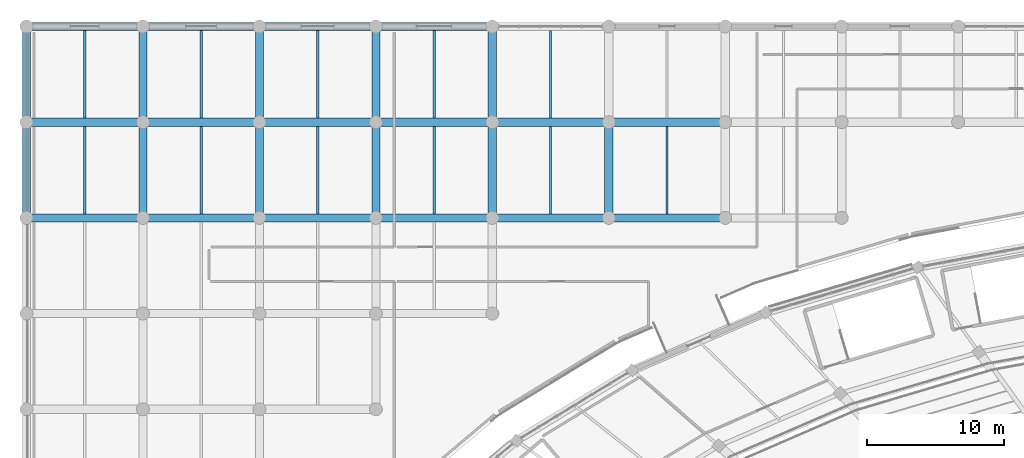
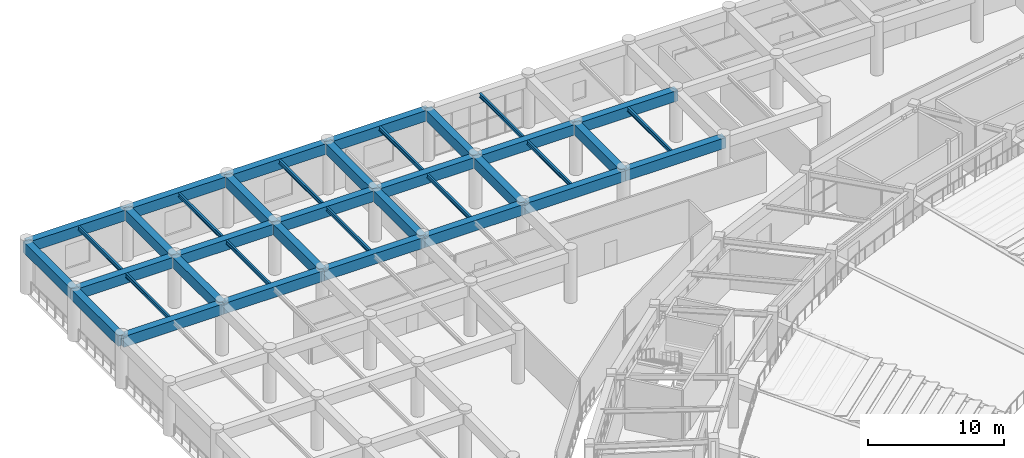
# One storey, part 56 of 137: 38 beams.
"""IFC4 building model written with IfcOpenShell, lengths in metres."""

from ifc_helpers import new_model, si_unit, direction, frame, origin, origin_2d, place, context, subcontext, project, spatial, rectangle, i_section, extrude, material, material_profile, profile_set, type_object, element, save


model = new_model("IFC4")

# Units and contexts
model_context = context("Model", 3, precision=1e-05, world=origin(), true_north=direction((0.0, 1.0)))
body_context = subcontext(model_context, "Body", "Model", "MODEL_VIEW")
ifc_project = project(units=[si_unit("LENGTHUNIT", "METRE"), si_unit("AREAUNIT", "SQUARE_METRE"), si_unit("VOLUMEUNIT", "CUBIC_METRE"), si_unit("PLANEANGLEUNIT", "RADIAN"), si_unit("MASSUNIT", "GRAM", prefix="KILO")], contexts=[model_context])

# Site, building, storey
site_placement = place(None, origin())
site = spatial("IfcSite", under=ifc_project, at=site_placement, CompositionType="ELEMENT")
building_placement = place(site_placement, origin())
building = spatial("IfcBuilding", under=site, at=building_placement, Name="Mphavela Belvedere Stadium", CompositionType="ELEMENT")
storey_placement = place(building_placement, frame((0.0, 0.0, 19.199951171875)))
storey = spatial("IfcBuildingStorey", under=building, at=storey_placement, Name="L04", CompositionType="ELEMENT", Elevation=19.199951171875)

# Beams
ifc_material_1 = material(Name="Concrete C40/50", Category="concrete")
ifc_material_profile_1 = material_profile(ifc_material_1, rectangle(XDim=0.60009765625, YDim=0.949951171875, at=origin_2d()), Name="RC 600x950")
ifc_profile_set_1 = profile_set([ifc_material_profile_1], Name="Concrete C40/50")
beam_type_1 = type_object("IfcBeamType", Name="BM-ENTABLATURE-950", PredefinedType="SPANDREL", material=ifc_profile_set_1)
beam_1_placement = place(storey_placement, frame((0.0, 160.0, 4.06494140625), z_axis=(1.0, 0.0, 0.0), x_axis=(0.0, 1.0, 0.0)))
element("IfcBeam", 1, at=beam_1_placement, inside=storey, type_object=beam_type_1, Name="North Mast and Ceremonial End Forecourt entablature beam X L04 1-6", PredefinedType="SPANDREL", context=body_context, shape_type="SweptSolid", body=[
    extrude(rectangle(XDim=0.60009765625, YDim=0.949951171875, at=origin_2d()), origin(), (0.0, 0.0, 1.0), 8.51904296875),
])
beam_2_placement = place(storey_placement, frame((0.0, 160.0, 4.06494140625), z_axis=(0.0, 1.0, 0.0), x_axis=(-1.0, 0.0, 0.0)))
element("IfcBeam", 2, at=beam_2_placement, inside=storey, type_object=beam_type_1, Name="North Mast and Ceremonial End Forecourt entablature beam Y L04 1-6", PredefinedType="SPANDREL", context=body_context, shape_type="SweptSolid", body=[
    extrude(rectangle(XDim=0.60009765625, YDim=0.949951171875, at=origin_2d()), origin(), (0.0, 0.0, 1.0), 7.0),
])
beam_3_placement = place(storey_placement, frame((0.0, 167.0, 4.06494140625), z_axis=(1.0, 0.0, 0.0), x_axis=(0.0, 1.0, 0.0)))
element("IfcBeam", 3, at=beam_3_placement, inside=storey, type_object=beam_type_1, Name="North Mast and Ceremonial End Forecourt entablature beam X L04 1-7", PredefinedType="SPANDREL", context=body_context, shape_type="SweptSolid", body=[
    extrude(rectangle(XDim=0.60009765625, YDim=0.949951171875, at=origin_2d()), origin(), (0.0, 0.0, 1.0), 8.51904296875),
])
beam_4_placement = place(storey_placement, frame((0.0, 167.0, 4.06494140625), z_axis=(0.0, 1.0, 0.0), x_axis=(-1.0, 0.0, 0.0)))
element("IfcBeam", 4, at=beam_4_placement, inside=storey, type_object=beam_type_1, Name="North Mast and Ceremonial End Forecourt entablature beam Y L04 1-7", PredefinedType="SPANDREL", context=body_context, shape_type="SweptSolid", body=[
    extrude(rectangle(XDim=0.60009765625, YDim=0.949951171875, at=origin_2d()), origin(), (0.0, 0.0, 1.0), 7.0),
])
beam_5_placement = place(storey_placement, frame((0.0, 174.0, 4.06494140625), z_axis=(1.0, 0.0, 0.0), x_axis=(0.0, 1.0, 0.0)))
element("IfcBeam", 5, at=beam_5_placement, inside=storey, type_object=beam_type_1, Name="North Mast and Ceremonial End Forecourt entablature beam X L04 1-8", PredefinedType="SPANDREL", context=body_context, shape_type="SweptSolid", body=[
    extrude(rectangle(XDim=0.60009765625, YDim=0.949951171875, at=origin_2d()), origin(), (0.0, 0.0, 1.0), 8.51904296875),
])
beam_6_placement = place(storey_placement, frame((8.51904296875, 160.0, 4.06494140625), z_axis=(1.0, 0.0, 0.0), x_axis=(0.0, 1.0, 0.0)))
element("IfcBeam", 6, at=beam_6_placement, inside=storey, type_object=beam_type_1, Name="North Mast and Ceremonial End Forecourt entablature beam X L04 2-6", PredefinedType="SPANDREL", context=body_context, shape_type="SweptSolid", body=[
    extrude(rectangle(XDim=0.60009765625, YDim=0.949951171875, at=origin_2d()), origin(), (0.0, 0.0, 1.0), 8.51806640625),
])
beam_7_placement = place(storey_placement, frame((8.51904296875, 160.0, 4.06494140625), z_axis=(0.0, 1.0, 0.0), x_axis=(-1.0, 0.0, 0.0)))
element("IfcBeam", 7, at=beam_7_placement, inside=storey, type_object=beam_type_1, Name="North Mast and Ceremonial End Forecourt entablature beam Y L04 2-6", PredefinedType="SPANDREL", context=body_context, shape_type="SweptSolid", body=[
    extrude(rectangle(XDim=0.60009765625, YDim=0.949951171875, at=origin_2d()), origin(), (0.0, 0.0, 1.0), 7.0),
])
beam_8_placement = place(storey_placement, frame((8.51904296875, 167.0, 4.06494140625), z_axis=(1.0, 0.0, 0.0), x_axis=(0.0, 1.0, 0.0)))
element("IfcBeam", 8, at=beam_8_placement, inside=storey, type_object=beam_type_1, Name="North Mast and Ceremonial End Forecourt entablature beam X L04 2-7", PredefinedType="SPANDREL", context=body_context, shape_type="SweptSolid", body=[
    extrude(rectangle(XDim=0.60009765625, YDim=0.949951171875, at=origin_2d()), origin(), (0.0, 0.0, 1.0), 8.51806640625),
])
beam_9_placement = place(storey_placement, frame((8.51904296875, 167.0, 4.06494140625), z_axis=(0.0, 1.0, 0.0), x_axis=(-1.0, 0.0, 0.0)))
element("IfcBeam", 9, at=beam_9_placement, inside=storey, type_object=beam_type_1, Name="North Mast and Ceremonial End Forecourt entablature beam Y L04 2-7", PredefinedType="SPANDREL", context=body_context, shape_type="SweptSolid", body=[
    extrude(rectangle(XDim=0.60009765625, YDim=0.949951171875, at=origin_2d()), origin(), (0.0, 0.0, 1.0), 7.0),
])
beam_10_placement = place(storey_placement, frame((8.51904296875, 174.0, 4.06494140625), z_axis=(1.0, 0.0, 0.0), x_axis=(0.0, 1.0, 0.0)))
element("IfcBeam", 10, at=beam_10_placement, inside=storey, type_object=beam_type_1, Name="North Mast and Ceremonial End Forecourt entablature beam X L04 2-8", PredefinedType="SPANDREL", context=body_context, shape_type="SweptSolid", body=[
    extrude(rectangle(XDim=0.60009765625, YDim=0.949951171875, at=origin_2d()), origin(), (0.0, 0.0, 1.0), 8.51806640625),
])
beam_11_placement = place(storey_placement, frame((17.037109375, 160.0, 4.06494140625), z_axis=(1.0, 0.0, 0.0), x_axis=(0.0, 1.0, 0.0)))
element("IfcBeam", 11, at=beam_11_placement, inside=storey, type_object=beam_type_1, Name="North Mast and Ceremonial End Forecourt entablature beam X L04 3-6", PredefinedType="SPANDREL", context=body_context, shape_type="SweptSolid", body=[
    extrude(rectangle(XDim=0.60009765625, YDim=0.949951171875, at=origin_2d()), origin(), (0.0, 0.0, 1.0), 8.518798828125),
])
beam_12_placement = place(storey_placement, frame((17.037109375, 160.0, 4.06494140625), z_axis=(0.0, 1.0, 0.0), x_axis=(-1.0, 0.0, 0.0)))
element("IfcBeam", 12, at=beam_12_placement, inside=storey, type_object=beam_type_1, Name="North Mast and Ceremonial End Forecourt entablature beam Y L04 3-6", PredefinedType="SPANDREL", context=body_context, shape_type="SweptSolid", body=[
    extrude(rectangle(XDim=0.60009765625, YDim=0.949951171875, at=origin_2d()), origin(), (0.0, 0.0, 1.0), 7.0),
])
beam_13_placement = place(storey_placement, frame((17.037109375, 167.0, 4.06494140625), z_axis=(1.0, 0.0, 0.0), x_axis=(0.0, 1.0, 0.0)))
element("IfcBeam", 13, at=beam_13_placement, inside=storey, type_object=beam_type_1, Name="North Mast and Ceremonial End Forecourt entablature beam X L04 3-7", PredefinedType="SPANDREL", context=body_context, shape_type="SweptSolid", body=[
    extrude(rectangle(XDim=0.60009765625, YDim=0.949951171875, at=origin_2d()), origin(), (0.0, 0.0, 1.0), 8.518798828125),
])
beam_14_placement = place(storey_placement, frame((17.037109375, 167.0, 4.06494140625), z_axis=(0.0, 1.0, 0.0), x_axis=(-1.0, 0.0, 0.0)))
element("IfcBeam", 14, at=beam_14_placement, inside=storey, type_object=beam_type_1, Name="North Mast and Ceremonial End Forecourt entablature beam Y L04 3-7", PredefinedType="SPANDREL", context=body_context, shape_type="SweptSolid", body=[
    extrude(rectangle(XDim=0.60009765625, YDim=0.949951171875, at=origin_2d()), origin(), (0.0, 0.0, 1.0), 7.0),
])
beam_15_placement = place(storey_placement, frame((17.037109375, 174.0, 4.06494140625), z_axis=(1.0, 0.0, 0.0), x_axis=(0.0, 1.0, 0.0)))
element("IfcBeam", 15, at=beam_15_placement, inside=storey, type_object=beam_type_1, Name="North Mast and Ceremonial End Forecourt entablature beam X L04 3-8", PredefinedType="SPANDREL", context=body_context, shape_type="SweptSolid", body=[
    extrude(rectangle(XDim=0.60009765625, YDim=0.949951171875, at=origin_2d()), origin(), (0.0, 0.0, 1.0), 8.518798828125),
])
beam_16_placement = place(storey_placement, frame((25.555908203125, 160.0, 4.06494140625), z_axis=(1.0, 0.0, 0.0), x_axis=(0.0, 1.0, 0.0)))
element("IfcBeam", 16, at=beam_16_placement, inside=storey, type_object=beam_type_1, Name="North Mast and Ceremonial End Forecourt entablature beam X L04 4-6", PredefinedType="SPANDREL", context=body_context, shape_type="SweptSolid", body=[
    extrude(rectangle(XDim=0.60009765625, YDim=0.949951171875, at=origin_2d()), origin(), (0.0, 0.0, 1.0), 8.51806640625),
])
beam_17_placement = place(storey_placement, frame((25.555908203125, 160.0, 4.06494140625), z_axis=(0.0, 1.0, 0.0), x_axis=(-1.0, 0.0, 0.0)))
element("IfcBeam", 17, at=beam_17_placement, inside=storey, type_object=beam_type_1, Name="North Mast and Ceremonial End Forecourt entablature beam Y L04 4-6", PredefinedType="SPANDREL", context=body_context, shape_type="SweptSolid", body=[
    extrude(rectangle(XDim=0.60009765625, YDim=0.949951171875, at=origin_2d()), origin(), (0.0, 0.0, 1.0), 7.0),
])
beam_18_placement = place(storey_placement, frame((25.555908203125, 167.0, 4.06494140625), z_axis=(1.0, 0.0, 0.0), x_axis=(0.0, 1.0, 0.0)))
element("IfcBeam", 18, at=beam_18_placement, inside=storey, type_object=beam_type_1, Name="North Mast and Ceremonial End Forecourt entablature beam X L04 4-7", PredefinedType="SPANDREL", context=body_context, shape_type="SweptSolid", body=[
    extrude(rectangle(XDim=0.60009765625, YDim=0.949951171875, at=origin_2d()), origin(), (0.0, 0.0, 1.0), 8.51806640625),
])
beam_19_placement = place(storey_placement, frame((25.555908203125, 167.0, 4.06494140625), z_axis=(0.0, 1.0, 0.0), x_axis=(-1.0, 0.0, 0.0)))
element("IfcBeam", 19, at=beam_19_placement, inside=storey, type_object=beam_type_1, Name="North Mast and Ceremonial End Forecourt entablature beam Y L04 4-7", PredefinedType="SPANDREL", context=body_context, shape_type="SweptSolid", body=[
    extrude(rectangle(XDim=0.60009765625, YDim=0.949951171875, at=origin_2d()), origin(), (0.0, 0.0, 1.0), 7.0),
])
beam_20_placement = place(storey_placement, frame((25.555908203125, 174.0, 4.06494140625), z_axis=(1.0, 0.0, 0.0), x_axis=(0.0, 1.0, 0.0)))
element("IfcBeam", 20, at=beam_20_placement, inside=storey, type_object=beam_type_1, Name="North Mast and Ceremonial End Forecourt entablature beam X L04 4-8", PredefinedType="SPANDREL", context=body_context, shape_type="SweptSolid", body=[
    extrude(rectangle(XDim=0.60009765625, YDim=0.949951171875, at=origin_2d()), origin(), (0.0, 0.0, 1.0), 8.51806640625),
])
beam_21_placement = place(storey_placement, frame((34.073974609375, 160.0, 4.06494140625), z_axis=(1.0, 0.0, 0.0), x_axis=(0.0, 1.0, 0.0)))
element("IfcBeam", 21, at=beam_21_placement, inside=storey, type_object=beam_type_1, Name="North Mast and Ceremonial End Forecourt entablature beam X L04 5-6", PredefinedType="SPANDREL", context=body_context, shape_type="SweptSolid", body=[
    extrude(rectangle(XDim=0.60009765625, YDim=0.949951171875, at=origin_2d()), origin(), (0.0, 0.0, 1.0), 8.51904296875),
])
beam_22_placement = place(storey_placement, frame((34.073974609375, 160.0, 4.06494140625), z_axis=(0.0, 1.0, 0.0), x_axis=(-1.0, 0.0, 0.0)))
element("IfcBeam", 22, at=beam_22_placement, inside=storey, type_object=beam_type_1, Name="North Mast and Ceremonial End Forecourt entablature beam Y L04 5-6", PredefinedType="SPANDREL", context=body_context, shape_type="SweptSolid", body=[
    extrude(rectangle(XDim=0.60009765625, YDim=0.949951171875, at=origin_2d()), origin(), (0.0, 0.0, 1.0), 7.0),
])
beam_23_placement = place(storey_placement, frame((34.073974609375, 167.0, 4.06494140625), z_axis=(1.0, 0.0, 0.0), x_axis=(0.0, 1.0, 0.0)))
element("IfcBeam", 23, at=beam_23_placement, inside=storey, type_object=beam_type_1, Name="North Mast and Ceremonial End Forecourt entablature beam X L04 5-7", PredefinedType="SPANDREL", context=body_context, shape_type="SweptSolid", body=[
    extrude(rectangle(XDim=0.60009765625, YDim=0.949951171875, at=origin_2d()), origin(), (0.0, 0.0, 1.0), 8.51904296875),
])
beam_24_placement = place(storey_placement, frame((34.073974609375, 167.0, 4.06494140625), z_axis=(0.0, 1.0, 0.0), x_axis=(-1.0, 0.0, 0.0)))
element("IfcBeam", 24, at=beam_24_placement, inside=storey, type_object=beam_type_1, Name="North Mast and Ceremonial End Forecourt entablature beam Y L04 5-7", PredefinedType="SPANDREL", context=body_context, shape_type="SweptSolid", body=[
    extrude(rectangle(XDim=0.60009765625, YDim=0.949951171875, at=origin_2d()), origin(), (0.0, 0.0, 1.0), 7.0),
])
beam_25_placement = place(storey_placement, frame((42.593017578125, 160.0, 4.06494140625), z_axis=(1.0, 0.0, 0.0), x_axis=(0.0, 1.0, 0.0)))
element("IfcBeam", 25, at=beam_25_placement, inside=storey, type_object=beam_type_1, Name="North Mast and Ceremonial End Forecourt entablature beam X L04 6-6", PredefinedType="SPANDREL", context=body_context, shape_type="SweptSolid", body=[
    extrude(rectangle(XDim=0.60009765625, YDim=0.949951171875, at=origin_2d()), origin(), (0.0, 0.0, 1.0), 8.51806640625),
])
beam_26_placement = place(storey_placement, frame((42.593017578125, 160.0, 4.06494140625), z_axis=(0.0, 1.0, 0.0), x_axis=(-1.0, 0.0, 0.0)))
element("IfcBeam", 26, at=beam_26_placement, inside=storey, type_object=beam_type_1, Name="North Mast and Ceremonial End Forecourt entablature beam Y L04 6-6", PredefinedType="SPANDREL", context=body_context, shape_type="SweptSolid", body=[
    extrude(rectangle(XDim=0.60009765625, YDim=0.949951171875, at=origin_2d()), origin(), (0.0, 0.0, 1.0), 7.0),
])
beam_27_placement = place(storey_placement, frame((42.593017578125, 167.0, 4.06494140625), z_axis=(1.0, 0.0, 0.0), x_axis=(0.0, 1.0, 0.0)))
element("IfcBeam", 27, at=beam_27_placement, inside=storey, type_object=beam_type_1, Name="North Mast and Ceremonial End Forecourt entablature beam X L04 6-7", PredefinedType="SPANDREL", context=body_context, shape_type="SweptSolid", body=[
    extrude(rectangle(XDim=0.60009765625, YDim=0.949951171875, at=origin_2d()), origin(), (0.0, 0.0, 1.0), 8.51806640625),
])
ifc_material_2 = material(Name="Steel S355", Category="steel")
ifc_material_profile_2 = material_profile(ifc_material_2, i_section(OverallWidth=0.169921875, OverallDepth=0.360107421875, WebThickness=0.008056640625, FlangeThickness=0.0126953125, at=origin_2d()), Name="IPE 360")
ifc_profile_set_2 = profile_set([ifc_material_profile_2], Name="Steel S355")
beam_type_2 = type_object("IfcBeamType", Name="BM-JOIST-IPE360", PredefinedType="JOIST", material=ifc_profile_set_2)
for number, where, z_axis, x_axis, name in (
    (28, (4.259521484375, 160.300048828125, 4.360107421875), (0.0, 1.0, 0.0), (-1.0, 0.0, 0.0), "North Mast and Ceremonial End Forecourt secondary joist L04 1-6"),
    (29, (4.259521484375, 167.300048828125, 4.360107421875), (0.0, 1.0, 0.0), (-1.0, 0.0, 0.0), "North Mast and Ceremonial End Forecourt secondary joist L04 1-7"),
    (30, (12.778076171875, 160.300048828125, 4.360107421875), (0.0, 1.0, 0.0), (-1.0, 0.0, 0.0), "North Mast and Ceremonial End Forecourt secondary joist L04 2-6"),
    (31, (12.778076171875, 167.300048828125, 4.360107421875), (0.0, 1.0, 0.0), (-1.0, 0.0, 0.0), "North Mast and Ceremonial End Forecourt secondary joist L04 2-7"),
    (32, (21.29638671875, 160.300048828125, 4.360107421875), (0.0, 1.0, 0.0), (-1.0, 0.0, 0.0), "North Mast and Ceremonial End Forecourt secondary joist L04 3-6"),
    (33, (21.29638671875, 167.300048828125, 4.360107421875), (0.0, 1.0, 0.0), (-1.0, 0.0, 0.0), "North Mast and Ceremonial End Forecourt secondary joist L04 3-7"),
    (34, (29.81494140625, 160.300048828125, 4.360107421875), (0.0, 1.0, 0.0), (-1.0, 0.0, 0.0), "North Mast and Ceremonial End Forecourt secondary joist L04 4-6"),
    (35, (29.81494140625, 167.300048828125, 4.360107421875), (0.0, 1.0, 0.0), (-1.0, 0.0, 0.0), "North Mast and Ceremonial End Forecourt secondary joist L04 4-7"),
    (36, (38.33349609375, 160.300048828125, 4.360107421875), (0.0, 1.0, 0.0), (-1.0, 0.0, 0.0), "North Mast and Ceremonial End Forecourt secondary joist L04 5-6"),
    (37, (38.33349609375, 167.300048828125, 4.360107421875), (0.0, 1.0, 0.0), (-1.0, 0.0, 0.0), "North Mast and Ceremonial End Forecourt secondary joist L04 5-7"),
    (38, (46.85205078125, 160.300048828125, 4.360107421875), (0.0, 1.0, 0.0), (-1.0, 0.0, 0.0), "North Mast and Ceremonial End Forecourt secondary joist L04 6-6"),
):
    element("IfcBeam", number, at=place(storey_placement, frame(where, z_axis=z_axis, x_axis=x_axis)), inside=storey, type_object=beam_type_2, Name=name, PredefinedType="JOIST", context=body_context, shape_type="SweptSolid", body=[
        extrude(i_section(OverallWidth=0.169921875, OverallDepth=0.360107421875, WebThickness=0.008056640625, FlangeThickness=0.0126953125, at=origin_2d()), origin(), (0.0, 0.0, 1.0), 6.39990234375),
    ])

save(model, "model.ifc")
